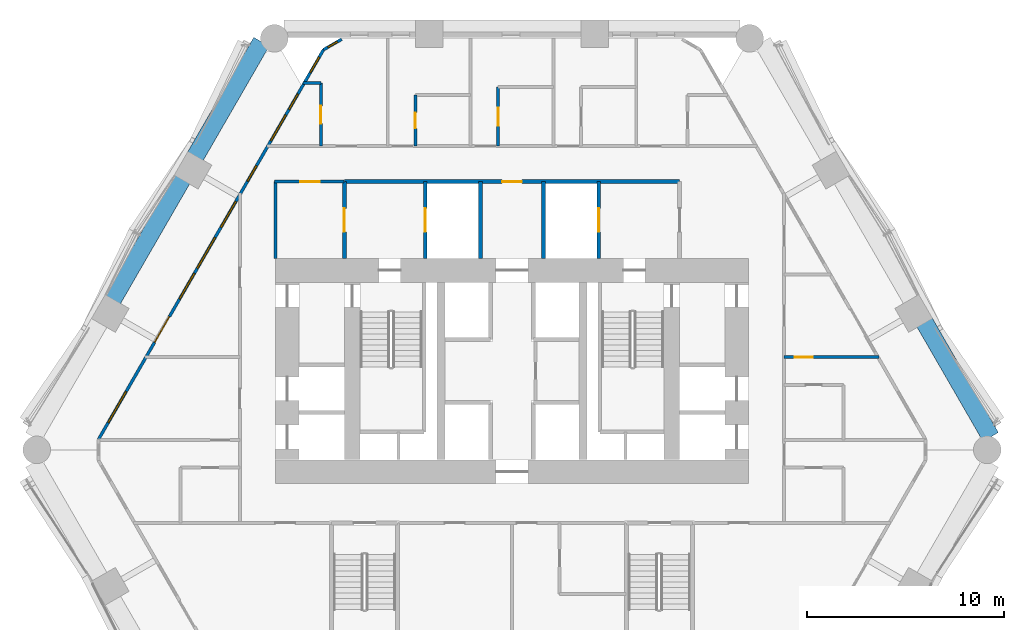
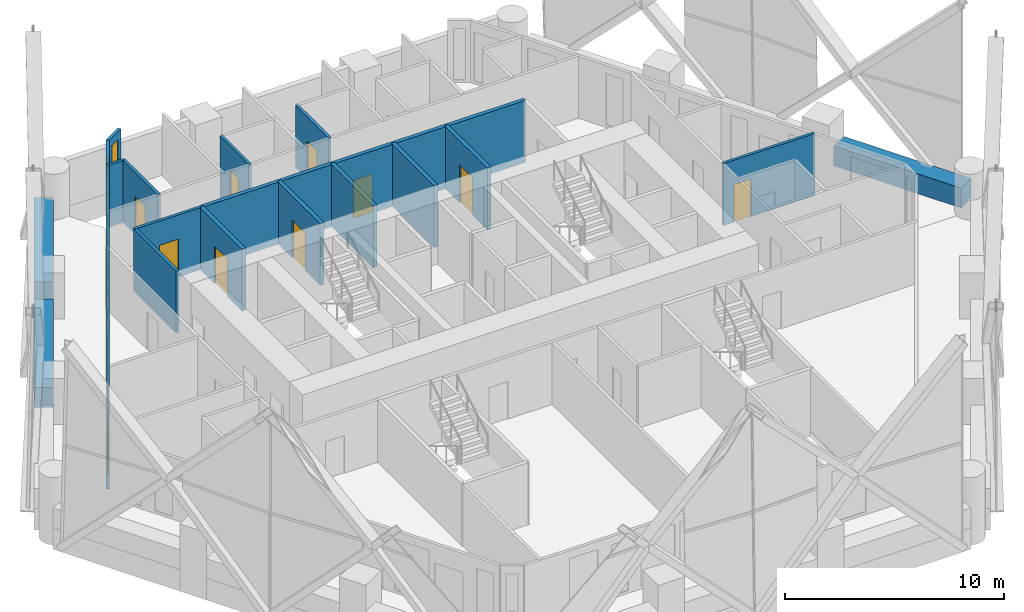
# One storey, part 14 of 22: 18 walls, 10 doors, 9 windows, 19 openings.
"""IFC4 building model written with IfcOpenShell, lengths in metres."""

from ifc_helpers import new_model, si_unit, direction, frame, frame_2d, origin, place, context, subcontext, project, spatial, rectangle, extrude, material, layer, layer_set, type_object, element, fill, save


model = new_model("IFC4")

# Units and contexts
model_context = context("Model", 3, precision=1e-05, world=origin(), true_north=direction((0.0, 1.0)))
body_context = subcontext(model_context, "Body", "Model", "MODEL_VIEW")
ifc_project = project(units=[si_unit("LENGTHUNIT", "METRE"), si_unit("AREAUNIT", "SQUARE_METRE"), si_unit("VOLUMEUNIT", "CUBIC_METRE"), si_unit("PLANEANGLEUNIT", "RADIAN"), si_unit("MASSUNIT", "GRAM", prefix="KILO")], contexts=[model_context])

# Site, building, storey
site_placement = place(None, origin())
site = spatial("IfcSite", under=ifc_project, at=site_placement, CompositionType="ELEMENT")
building_placement = place(site_placement, origin())
building = spatial("IfcBuilding", under=site, at=building_placement, Name="Ostrander Bayou Hotel Tower", CompositionType="ELEMENT")
storey_placement = place(building_placement, frame((0.0, 0.0, 35.5)))
storey = spatial("IfcBuildingStorey", under=building, at=storey_placement, Name="L08", CompositionType="ELEMENT", Elevation=35.5)

# Wall, openings, door, windows
ifc_material_1 = material(Name="Aluminium framed insulated wall", Category="aluminium")
ifc_layer_1 = layer(ifc_material_1, 0.14990234375)
ifc_layer_set_1 = layer_set([ifc_layer_1], Name="GW1 glass-line wall 150 mm")
wall_type_1 = type_object("IfcWallType", Name="GW1 glass-line wall 150 mm", PredefinedType="SOLIDWALL", material=ifc_layer_set_1)
wall_1_placement = place(storey_placement, frame((-9.5595703125, 20.29248046875, 0.0), z_axis=(0.0, 0.0, 1.0), x_axis=(-0.500000010132, -0.866025397935, 0.0)))
wall_1 = element("IfcWall", 1, at=wall_1_placement, inside=storey, type_object=wall_type_1, Name="GW1 L08 NW 1", PredefinedType="SOLIDWALL", context=body_context, shape_type="SweptSolid", body=[
    extrude(rectangle(XDim=22.81689453125, YDim=0.14990234375, at=frame_2d((11.408447265625, 0.0))), origin(), (0.0, 0.0, 1.0), 3.449951171875),
])
opening_1_placement = place(wall_1_placement, frame((2.593994140625, 0.0, 0.14990234375)))
opening_1 = element("IfcOpeningElement", 2, at=opening_1_placement, cuts=wall_1, Name="Opening W15", PredefinedType="OPENING", context=body_context, shape_type="SweptSolid", body=[
    extrude(rectangle(XDim=0.89990234375, YDim=2.85009765625, at=frame_2d((0.449951171875, 1.425048828125))), frame((0.0, 0.074951171875, 0.0), z_axis=(0.0, -1.0, 0.0), x_axis=(1.0, 0.0, 0.0)), (0.0, 0.0, 1.0), 0.14990234375),
])
opening_2_placement = place(wall_1_placement, frame((3.8251953125, 0.0, 0.14990234375)))
opening_2 = element("IfcOpeningElement", 3, at=opening_2_placement, cuts=wall_1, Name="Opening W11", PredefinedType="OPENING", context=body_context, shape_type="SweptSolid", body=[
    extrude(rectangle(XDim=1.5, YDim=2.85009765625, at=frame_2d((0.75, 1.425048828125))), frame((0.0, 0.074951171875, 0.0), z_axis=(0.0, -1.0, 0.0), x_axis=(1.0, 0.0, 0.0)), (0.0, 0.0, 1.0), 0.14990234375),
])
opening_3_placement = place(wall_1_placement, frame((6.794189453125, 0.0, 0.14990234375)))
opening_3 = element("IfcOpeningElement", 4, at=opening_3_placement, cuts=wall_1, Name="Opening W15", PredefinedType="OPENING", context=body_context, shape_type="SweptSolid", body=[
    extrude(rectangle(XDim=0.89990234375, YDim=2.85009765625, at=frame_2d((0.449951171875, 1.425048828125))), frame((0.0, 0.074951171875, 0.0), z_axis=(0.0, -1.0, 0.0), x_axis=(1.0, 0.0, 0.0)), (0.0, 0.0, 1.0), 0.14990234375),
])
opening_4_placement = place(wall_1_placement, frame((8.89404296875, 0.0, 0.14990234375)))
opening_4 = element("IfcOpeningElement", 5, at=opening_4_placement, cuts=wall_1, Name="Opening W11", PredefinedType="OPENING", context=body_context, shape_type="SweptSolid", body=[
    extrude(rectangle(XDim=1.5, YDim=2.85009765625, at=frame_2d((0.75, 1.425048828125))), frame((0.0, 0.074951171875, 0.0), z_axis=(0.0, -1.0, 0.0), x_axis=(1.0, 0.0, 0.0)), (0.0, 0.0, 1.0), 0.14990234375),
])
opening_5_placement = place(wall_1_placement, frame((10.994140625, 0.0, 0.14990234375)))
opening_5 = element("IfcOpeningElement", 6, at=opening_5_placement, cuts=wall_1, Name="Opening W1", PredefinedType="OPENING", context=body_context, shape_type="SweptSolid", body=[
    extrude(rectangle(XDim=1.800048828125, YDim=2.85009765625, at=frame_2d((0.89990234375, 1.425048828125))), frame((0.0, 0.074951171875, 0.0), z_axis=(0.0, -1.0, 0.0), x_axis=(1.0, 0.0, 0.0)), (0.0, 0.0, 1.0), 0.14990234375),
])
opening_6_placement = place(wall_1_placement, frame((13.093994140625, 0.0, 0.14990234375)))
opening_6 = element("IfcOpeningElement", 7, at=opening_6_placement, cuts=wall_1, Name="Opening W11", PredefinedType="OPENING", context=body_context, shape_type="SweptSolid", body=[
    extrude(rectangle(XDim=1.5, YDim=2.85009765625, at=frame_2d((0.75, 1.425048828125))), frame((0.0, 0.074951171875, 0.0), z_axis=(0.0, -1.0, 0.0), x_axis=(1.0, 0.0, 0.0)), (0.0, 0.0, 1.0), 0.14990234375),
])
opening_7_placement = place(wall_1_placement, frame((15.630859375, 0.0, 0.0)))
opening_7 = element("IfcOpeningElement", 8, at=opening_7_placement, cuts=wall_1, Name="Opening T06-800", PredefinedType="OPENING", context=body_context, shape_type="SweptSolid", body=[
    extrude(rectangle(XDim=1.5, YDim=2.39990234375, at=frame_2d((0.75, 1.199951171875))), frame((0.0, 0.074951171875, 0.0), z_axis=(0.0, -1.0, 0.0), x_axis=(1.0, 0.0, 0.0)), (0.0, 0.0, 1.0), 0.14990234375),
])
opening_8_placement = place(wall_1_placement, frame((0.440185546875, 0.0, 0.14990234375)))
opening_8 = element("IfcOpeningElement", 9, at=opening_8_placement, cuts=wall_1, Name="Opening W15", PredefinedType="OPENING", context=body_context, shape_type="SweptSolid", body=[
    extrude(rectangle(XDim=0.89990234375, YDim=2.72998046875, at=frame_2d((0.449951171875, 1.364990234375))), frame((0.0, 0.074951171875, 0.0), z_axis=(0.0, -1.0, 0.0), x_axis=(1.0, 0.0, 0.0)), (0.0, 0.0, 1.0), 0.14990234375),
])
opening_9_placement = place(wall_1_placement, frame((20.024169921875, 0.0, 0.14990234375)))
opening_9 = element("IfcOpeningElement", 10, at=opening_9_placement, cuts=wall_1, Name="Opening W1", PredefinedType="OPENING", context=body_context, shape_type="SweptSolid", body=[
    extrude(rectangle(XDim=1.800048828125, YDim=2.72998046875, at=frame_2d((0.89990234375, 1.364990234375))), frame((0.0, 0.074951171875, 0.0), z_axis=(0.0, -1.0, 0.0), x_axis=(1.0, 0.0, 0.0)), (0.0, 0.0, 1.0), 0.14990234375),
])
ifc_material_2 = material(Name="Aluminium and clear glass", Category="aluminium")
door_type_1 = type_object("IfcDoorType", Name="SD1 sliding glass door 1500 mm, zone 1", OperationType="SLIDING_TO_LEFT", PredefinedType="DOOR", material=ifc_material_2)
door_1_placement = place(opening_7_placement, origin())
door_1 = element("IfcDoor", 11, at=door_1_placement, inside=storey, type_object=door_type_1, Name="SD1 L08 NW 4", OperationType="SLIDING_TO_RIGHT", OverallHeight=2.39990234375, OverallWidth=1.5, PredefinedType="DOOR", context=body_context, shape_type="SweptSolid", body=[
    extrude(rectangle(XDim=1.5, YDim=2.39990234375, at=frame_2d((0.75, 1.199951171875))), frame((0.0, 0.02490234375, 0.0), z_axis=(0.0, -1.0, 0.0), x_axis=(1.0, 0.0, 0.0)), (0.0, 0.0, 1.0), 0.050048828125),
])
fill(opening_7, door_1)
ifc_material_3 = material(Name="Aluminium and clear glass", Category="aluminium")
window_type_1 = type_object("IfcWindowType", Name="W1 fixed window 1800 mm, zone 1", PartitioningType="SINGLE_PANEL", PredefinedType="WINDOW", material=ifc_material_3)
window_1_placement = place(opening_5_placement, origin())
window_1 = element("IfcWindow", 12, at=window_1_placement, inside=storey, type_object=window_type_1, Name="W1 L08 NW 3", OverallHeight=2.85009765625, OverallWidth=1.800048828125, PartitioningType="SINGLE_PANEL", PredefinedType="WINDOW", context=body_context, shape_type="SweptSolid", body=[
    extrude(rectangle(XDim=1.800048828125, YDim=2.85009765625, at=frame_2d((0.89990234375, 1.425048828125))), frame((0.0, 0.030029296875, 0.0), z_axis=(0.0, -1.0, 0.0), x_axis=(1.0, 0.0, 0.0)), (0.0, 0.0, 1.0), 0.06005859375),
])
fill(opening_5, window_1)
window_2_placement = place(opening_9_placement, origin())
window_2 = element("IfcWindow", 13, at=window_2_placement, inside=storey, type_object=window_type_1, Name="W1 L08 NW E21", OverallHeight=2.72998046875, OverallWidth=1.800048828125, PartitioningType="SINGLE_PANEL", PredefinedType="WINDOW", context=body_context, shape_type="SweptSolid", body=[
    extrude(rectangle(XDim=1.800048828125, YDim=2.72998046875, at=frame_2d((0.89990234375, 1.364990234375))), frame((0.0, 0.030029296875, 0.0), z_axis=(0.0, -1.0, 0.0), x_axis=(1.0, 0.0, 0.0)), (0.0, 0.0, 1.0), 0.06005859375),
])
fill(opening_9, window_2)
ifc_material_4 = material(Name="Aluminium and clear glass", Category="aluminium")
window_type_2 = type_object("IfcWindowType", Name="W11 fixed window 1500 mm, bath bay, zone 1", PartitioningType="SINGLE_PANEL", PredefinedType="WINDOW", material=ifc_material_4)
window_3_placement = place(opening_2_placement, origin())
window_3 = element("IfcWindow", 14, at=window_3_placement, inside=storey, type_object=window_type_2, Name="W11 L08 NW 1", OverallHeight=2.85009765625, OverallWidth=1.5, PartitioningType="SINGLE_PANEL", PredefinedType="WINDOW", context=body_context, shape_type="SweptSolid", body=[
    extrude(rectangle(XDim=1.5, YDim=2.85009765625, at=frame_2d((0.75, 1.425048828125))), frame((0.0, 0.030029296875, 0.0), z_axis=(0.0, -1.0, 0.0), x_axis=(1.0, 0.0, 0.0)), (0.0, 0.0, 1.0), 0.06005859375),
])
fill(opening_2, window_3)
window_4_placement = place(opening_4_placement, origin())
window_4 = element("IfcWindow", 15, at=window_4_placement, inside=storey, type_object=window_type_2, Name="W11 L08 NW 2", OverallHeight=2.85009765625, OverallWidth=1.5, PartitioningType="SINGLE_PANEL", PredefinedType="WINDOW", context=body_context, shape_type="SweptSolid", body=[
    extrude(rectangle(XDim=1.5, YDim=2.85009765625, at=frame_2d((0.75, 1.425048828125))), frame((0.0, 0.030029296875, 0.0), z_axis=(0.0, -1.0, 0.0), x_axis=(1.0, 0.0, 0.0)), (0.0, 0.0, 1.0), 0.06005859375),
])
fill(opening_4, window_4)
window_5_placement = place(opening_6_placement, origin())
window_5 = element("IfcWindow", 16, at=window_5_placement, inside=storey, type_object=window_type_2, Name="W11 L08 NW 3", OverallHeight=2.85009765625, OverallWidth=1.5, PartitioningType="SINGLE_PANEL", PredefinedType="WINDOW", context=body_context, shape_type="SweptSolid", body=[
    extrude(rectangle(XDim=1.5, YDim=2.85009765625, at=frame_2d((0.75, 1.425048828125))), frame((0.0, 0.030029296875, 0.0), z_axis=(0.0, -1.0, 0.0), x_axis=(1.0, 0.0, 0.0)), (0.0, 0.0, 1.0), 0.06005859375),
])
fill(opening_6, window_5)
ifc_material_5 = material(Name="Aluminium and clear glass", Category="aluminium")
window_type_3 = type_object("IfcWindowType", Name="W15 window 900 mm, zone 1", PartitioningType="SINGLE_PANEL", PredefinedType="WINDOW", material=ifc_material_5)
window_6_placement = place(opening_1_placement, origin())
window_6 = element("IfcWindow", 17, at=window_6_placement, inside=storey, type_object=window_type_3, Name="W15 L08 NW 1", OverallHeight=2.85009765625, OverallWidth=0.89990234375, PartitioningType="SINGLE_PANEL", PredefinedType="WINDOW", context=body_context, shape_type="SweptSolid", body=[
    extrude(rectangle(XDim=0.89990234375, YDim=2.85009765625, at=frame_2d((0.449951171875, 1.425048828125))), frame((0.0, 0.030029296875, 0.0), z_axis=(0.0, -1.0, 0.0), x_axis=(1.0, 0.0, 0.0)), (0.0, 0.0, 1.0), 0.06005859375),
])
fill(opening_1, window_6)
window_7_placement = place(opening_3_placement, origin())
window_7 = element("IfcWindow", 18, at=window_7_placement, inside=storey, type_object=window_type_3, Name="W15 L08 NW 2", OverallHeight=2.85009765625, OverallWidth=0.89990234375, PartitioningType="SINGLE_PANEL", PredefinedType="WINDOW", context=body_context, shape_type="SweptSolid", body=[
    extrude(rectangle(XDim=0.89990234375, YDim=2.85009765625, at=frame_2d((0.449951171875, 1.425048828125))), frame((0.0, 0.030029296875, 0.0), z_axis=(0.0, -1.0, 0.0), x_axis=(1.0, 0.0, 0.0)), (0.0, 0.0, 1.0), 0.06005859375),
])
fill(opening_3, window_7)
window_8_placement = place(opening_8_placement, origin())
window_8 = element("IfcWindow", 19, at=window_8_placement, inside=storey, type_object=window_type_3, Name="W15 L08 NW E11", OverallHeight=2.72998046875, OverallWidth=0.89990234375, PartitioningType="SINGLE_PANEL", PredefinedType="WINDOW", context=body_context, shape_type="SweptSolid", body=[
    extrude(rectangle(XDim=0.89990234375, YDim=2.72998046875, at=frame_2d((0.449951171875, 1.364990234375))), frame((0.0, 0.030029296875, 0.0), z_axis=(0.0, -1.0, 0.0), x_axis=(1.0, 0.0, 0.0)), (0.0, 0.0, 1.0), 0.06005859375),
])
fill(opening_8, window_8)

# Wall, opening, window
wall_2_placement = place(storey_placement, frame((-8.63720703125, 20.824951171875, 0.0), z_axis=(0.0, 0.0, 1.0), x_axis=(-0.866048165231, -0.499960573946, 0.0)))
wall_2 = element("IfcWall", 20, at=wall_2_placement, inside=storey, type_object=wall_type_1, Name="GW1 L08 corner 1", PredefinedType="SOLIDWALL", context=body_context, shape_type="SweptSolid", body=[
    extrude(rectangle(XDim=1.06494140625, YDim=0.14990234375, at=frame_2d((0.532470703125, 0.0))), origin(), (0.0, 0.0, 1.0), 3.449951171875),
])
opening_10_placement = place(wall_2_placement, frame((0.257568359375, 0.0, 0.14990234375)))
opening_10 = element("IfcOpeningElement", 21, at=opening_10_placement, cuts=wall_2, Name="Opening W19", PredefinedType="OPENING", context=body_context, shape_type="SweptSolid", body=[
    extrude(rectangle(XDim=0.550048828125, YDim=2.85009765625, at=frame_2d((0.27490234375, 1.425048828125))), frame((0.0, 0.074951171875, 0.0), z_axis=(0.0, -1.0, 0.0), x_axis=(1.0, 0.0, 0.0)), (0.0, 0.0, 1.0), 0.14990234375),
])
ifc_material_6 = material(Name="Aluminium and clear glass", Category="aluminium")
window_type_4 = type_object("IfcWindowType", Name="W19 corner window 550 mm", PartitioningType="SINGLE_PANEL", PredefinedType="WINDOW", material=ifc_material_6)
window_9_placement = place(opening_10_placement, origin())
window_9 = element("IfcWindow", 22, at=window_9_placement, inside=storey, type_object=window_type_4, Name="W19 L08 corner 1", OverallHeight=2.85009765625, OverallWidth=0.550048828125, PartitioningType="SINGLE_PANEL", PredefinedType="WINDOW", context=body_context, shape_type="SweptSolid", body=[
    extrude(rectangle(XDim=0.550048828125, YDim=2.85009765625, at=frame_2d((0.27490234375, 1.425048828125))), frame((0.0, 0.030029296875, 0.0), z_axis=(0.0, -1.0, 0.0), x_axis=(1.0, 0.0, 0.0)), (0.0, 0.0, 1.0), 0.06005859375),
])
fill(opening_10, window_9)

# Walls
ifc_material_7 = material(Name="Concrete f'c 40 MPa", Category="concrete")
ifc_layer_2 = layer(ifc_material_7, 0.89990234375)
ifc_layer_set_2 = layer_set([ifc_layer_2], Name="PA1 stone-faced parapet 900 mm")
wall_type_2 = type_object("IfcWallType", Name="PA1 stone-faced parapet 900 mm", PredefinedType="PARAPET", material=ifc_layer_set_2)
wall_3_placement = place(storey_placement, frame((-12.705078125, 20.694091796875, 0.0), z_axis=(0.0, 0.0, 1.0), x_axis=(-0.500005133765, -0.866022439784, 0.0)))
element("IfcWall", 23, at=wall_3_placement, inside=storey, type_object=wall_type_2, Name="PA1 L08 NW-1", PredefinedType="PARAPET", context=body_context, shape_type="SweptSolid", body=[
    extrude(rectangle(XDim=6.70361328125, YDim=0.89990234375, at=frame_2d((3.351806640625, 0.0))), origin(), (0.0, 0.0, 1.0), 1.10009765625),
])
wall_4_placement = place(storey_placement, frame((-16.726806640625, 13.72802734375, 0.0), z_axis=(0.0, 0.0, 1.0), x_axis=(-0.499997206141, -0.866027016814, 0.0)))
element("IfcWall", 24, at=wall_4_placement, inside=storey, type_object=wall_type_2, Name="PA1 L08 NW-2", PredefinedType="PARAPET", context=body_context, shape_type="SweptSolid", body=[
    extrude(rectangle(XDim=7.05078125, YDim=0.89990234375, at=frame_2d((3.525390625, 0.0))), origin(), (0.0, 0.0, 1.0), 1.10009765625),
])
wall_5_placement = place(storey_placement, frame((24.274169921875, 0.656005859375, 0.0), z_axis=(0.0, 0.0, 1.0), x_axis=(-0.500005133765, 0.866022439784, 0.0)))
element("IfcWall", 25, at=wall_5_placement, inside=storey, type_object=wall_type_2, Name="PA1 L08 NE-1", PredefinedType="PARAPET", context=body_context, shape_type="SweptSolid", body=[
    extrude(rectangle(XDim=6.70361328125, YDim=0.89990234375, at=frame_2d((3.351806640625, 0.0))), origin(), (0.0, 0.0, 1.0), 1.10009765625),
])

# Wall, opening, door
ifc_material_8 = material(Name="Masonry block", Category="masonry")
ifc_layer_3 = layer(ifc_material_8, 0.199951171875)
ifc_layer_set_3 = layer_set([ifc_layer_3], Name="PT5 stair enclosure wall 200 mm masonry, 2 hour")
wall_type_3 = type_object("IfcWallType", Name="PT5 stair enclosure wall 200 mm masonry, 2 hour", PredefinedType="PARTITIONING", material=ifc_layer_set_3)
wall_6_placement = place(storey_placement, frame((-8.5, 13.60009765625, 0.0), z_axis=(0.0, 0.0, 1.0), x_axis=(1.0, 0.0, 0.0)))
wall_6 = element("IfcWall", 26, at=wall_6_placement, inside=storey, type_object=wall_type_3, Name="cs:L08:025", PredefinedType="PARTITIONING", context=body_context, shape_type="SweptSolid", body=[
    extrude(rectangle(XDim=17.0, YDim=0.199951171875, at=frame_2d((8.5, 0.0))), origin(), (0.0, 0.0, 1.0), 3.449951171875),
])
opening_11_placement = place(wall_6_placement, frame((8.0, 0.0, 0.0)))
opening_11 = element("IfcOpeningElement", 27, at=opening_11_placement, cuts=wall_6, Name="Opening T06-013", PredefinedType="OPENING", context=body_context, shape_type="SweptSolid", body=[
    extrude(rectangle(XDim=1.0, YDim=2.10009765625, at=frame_2d((0.5, 1.050048828125))), frame((0.0, 0.10009765625, 0.0), z_axis=(0.0, -1.0, 0.0), x_axis=(1.0, 0.0, 0.0)), (0.0, 0.0, 1.0), 0.199951171875),
])
ifc_material_9 = material(Name="Timber door leaf", Category="wood")
door_type_2 = type_object("IfcDoorType", Name="D9 service door 1000 x 2100 mm, 30 minute", OperationType="SINGLE_SWING_LEFT", PredefinedType="DOOR", material=ifc_material_9)
door_2_placement = place(opening_11_placement, origin())
door_2 = element("IfcDoor", 28, at=door_2_placement, inside=storey, type_object=door_type_2, Name="dr:L08:013", OperationType="SINGLE_SWING_LEFT", OverallHeight=2.10009765625, OverallWidth=1.0, PredefinedType="DOOR", context=body_context, shape_type="SweptSolid", body=[
    extrude(rectangle(XDim=1.0, YDim=2.10009765625, at=frame_2d((0.5, 1.050048828125))), frame((0.0, 0.02490234375, 0.0), z_axis=(0.0, -1.0, 0.0), x_axis=(1.0, 0.0, 0.0)), (0.0, 0.0, 1.0), 0.050048828125),
])
fill(opening_11, door_2)

wall_7_placement = place(storey_placement, frame((-8.5, 9.699951171875, 0.0), z_axis=(0.0, 0.0, 1.0), x_axis=(0.0, 1.0, 0.0)))
wall_7 = element("IfcWall", 29, at=wall_7_placement, inside=storey, type_object=wall_type_3, Name="cs:L08:026", PredefinedType="PARTITIONING", context=body_context, shape_type="SweptSolid", body=[
    extrude(rectangle(XDim=3.900146484375, YDim=0.199951171875, at=frame_2d((1.9501953125, 0.0))), origin(), (0.0, 0.0, 1.0), 3.449951171875),
])
opening_12_placement = place(wall_7_placement, frame((1.35009765625, 0.0, 0.0)))
opening_12 = element("IfcOpeningElement", 30, at=opening_12_placement, cuts=wall_7, Name="Opening T06-010", PredefinedType="OPENING", context=body_context, shape_type="SweptSolid", body=[
    extrude(rectangle(XDim=1.199951171875, YDim=2.10009765625, at=frame_2d((0.60009765625, 1.050048828125))), frame((0.0, 0.10009765625, 0.0), z_axis=(0.0, -1.0, 0.0), x_axis=(1.0, 0.0, 0.0)), (0.0, 0.0, 1.0), 0.199951171875),
])
ifc_material_10 = material(Name="Timber door leaf", Category="wood")
door_type_3 = type_object("IfcDoorType", Name="D7 lobby door 1200 x 2100 mm, 1 hour", OperationType="SINGLE_SWING_LEFT", PredefinedType="DOOR", material=ifc_material_10)
door_3_placement = place(opening_12_placement, origin())
door_3 = element("IfcDoor", 31, at=door_3_placement, inside=storey, type_object=door_type_3, Name="dr:L08:010", OperationType="SINGLE_SWING_LEFT", OverallHeight=2.10009765625, OverallWidth=1.199951171875, PredefinedType="DOOR", context=body_context, shape_type="SweptSolid", body=[
    extrude(rectangle(XDim=1.199951171875, YDim=2.10009765625, at=frame_2d((0.60009765625, 1.050048828125))), frame((0.0, 0.02490234375, 0.0), z_axis=(0.0, -1.0, 0.0), x_axis=(1.0, 0.0, 0.0)), (0.0, 0.0, 1.0), 0.050048828125),
])
fill(opening_12, door_3)

wall_8_placement = place(storey_placement, frame((-4.39990234375, 9.699951171875, 0.0), z_axis=(0.0, 0.0, 1.0), x_axis=(0.0, 1.0, 0.0)))
wall_8 = element("IfcWall", 32, at=wall_8_placement, inside=storey, type_object=wall_type_3, Name="cs:L08:028", PredefinedType="PARTITIONING", context=body_context, shape_type="SweptSolid", body=[
    extrude(rectangle(XDim=3.900146484375, YDim=0.199951171875, at=frame_2d((1.9501953125, 0.0))), origin(), (0.0, 0.0, 1.0), 3.449951171875),
])
opening_13_placement = place(wall_8_placement, frame((1.35009765625, 0.0, 0.0)))
opening_13 = element("IfcOpeningElement", 33, at=opening_13_placement, cuts=wall_8, Name="Opening T06-009", PredefinedType="OPENING", context=body_context, shape_type="SweptSolid", body=[
    extrude(rectangle(XDim=1.199951171875, YDim=2.10009765625, at=frame_2d((0.60009765625, 1.050048828125))), frame((0.0, 0.10009765625, 0.0), z_axis=(0.0, -1.0, 0.0), x_axis=(1.0, 0.0, 0.0)), (0.0, 0.0, 1.0), 0.199951171875),
])
ifc_material_11 = material(Name="Stainless steel sliding door", Category="steel")
door_type_4 = type_object("IfcDoorType", Name="LD1 lift landing door 1200 x 2100 mm", OperationType="SINGLE_SWING_LEFT", PredefinedType="DOOR", material=ifc_material_11)
door_4_placement = place(opening_13_placement, origin())
door_4 = element("IfcDoor", 34, at=door_4_placement, inside=storey, type_object=door_type_4, Name="dr:L08:009", OperationType="SLIDING_TO_LEFT", OverallHeight=2.10009765625, OverallWidth=1.199951171875, PredefinedType="DOOR", context=body_context, shape_type="SweptSolid", body=[
    extrude(rectangle(XDim=1.199951171875, YDim=2.10009765625, at=frame_2d((0.60009765625, 1.050048828125))), frame((0.0, 0.02490234375, 0.0), z_axis=(0.0, -1.0, 0.0), x_axis=(1.0, 0.0, 0.0)), (0.0, 0.0, 1.0), 0.050048828125),
])
fill(opening_13, door_4)

wall_9_placement = place(storey_placement, frame((4.39990234375, 9.699951171875, 0.0), z_axis=(0.0, 0.0, 1.0), x_axis=(0.0, 1.0, 0.0)))
wall_9 = element("IfcWall", 35, at=wall_9_placement, inside=storey, type_object=wall_type_3, Name="cs:L08:029", PredefinedType="PARTITIONING", context=body_context, shape_type="SweptSolid", body=[
    extrude(rectangle(XDim=3.900146484375, YDim=0.199951171875, at=frame_2d((1.9501953125, 0.0))), origin(), (0.0, 0.0, 1.0), 3.449951171875),
])
opening_14_placement = place(wall_9_placement, frame((1.35009765625, 0.0, 0.0)))
opening_14 = element("IfcOpeningElement", 36, at=opening_14_placement, cuts=wall_9, Name="Opening T06-011", PredefinedType="OPENING", context=body_context, shape_type="SweptSolid", body=[
    extrude(rectangle(XDim=1.199951171875, YDim=2.10009765625, at=frame_2d((0.60009765625, 1.050048828125))), frame((0.0, 0.10009765625, 0.0), z_axis=(0.0, -1.0, 0.0), x_axis=(1.0, 0.0, 0.0)), (0.0, 0.0, 1.0), 0.199951171875),
])
door_5_placement = place(opening_14_placement, origin())
door_5 = element("IfcDoor", 37, at=door_5_placement, inside=storey, type_object=door_type_4, Name="dr:L08:011", OperationType="SLIDING_TO_LEFT", OverallHeight=2.10009765625, OverallWidth=1.199951171875, PredefinedType="DOOR", context=body_context, shape_type="SweptSolid", body=[
    extrude(rectangle(XDim=1.199951171875, YDim=2.10009765625, at=frame_2d((0.60009765625, 1.050048828125))), frame((0.0, 0.02490234375, 0.0), z_axis=(0.0, -1.0, 0.0), x_axis=(1.0, 0.0, 0.0)), (0.0, 0.0, 1.0), 0.050048828125),
])
fill(opening_14, door_5)

# Walls
ifc_material_12 = material(Name="Masonry block", Category="masonry")
ifc_layer_4 = layer(ifc_material_12, 0.199951171875)
ifc_layer_set_4 = layer_set([ifc_layer_4], Name="PT6 lift shaft wall 200 mm masonry, 2 hour")
wall_type_4 = type_object("IfcWallType", Name="PT6 lift shaft wall 200 mm masonry, 2 hour", PredefinedType="PARTITIONING", material=ifc_layer_set_4)
for number, where, z_axis, x_axis, name in (
    (38, (-1.60009765625, 9.699951171875, 0.0), (0.0, 0.0, 1.0), (0.0, 1.0, 0.0), "cs:L08:030"),
    (39, (1.60009765625, 9.699951171875, 0.0), (0.0, 0.0, 1.0), (0.0, 1.0, 0.0), "cs:L08:031"),
):
    element("IfcWall", number, at=place(storey_placement, frame(where, z_axis=z_axis, x_axis=x_axis)), inside=storey, type_object=wall_type_4, Name=name, PredefinedType="PARTITIONING", context=body_context, shape_type="SweptSolid", body=[
        extrude(rectangle(XDim=3.900146484375, YDim=0.199951171875, at=frame_2d((1.9501953125, 0.0))), origin(), (0.0, 0.0, 1.0), 3.449951171875),
    ])

# Wall, opening, door
ifc_material_13 = material(Name="Gypsum board partition", Category="finish")
ifc_layer_5 = layer(ifc_material_13, 0.14990234375)
ifc_layer_set_5 = layer_set([ifc_layer_5], Name="PT8 service band wall 150 mm, 1 hour")
wall_type_5 = type_object("IfcWallType", Name="PT8 service band wall 150 mm, 1 hour", PredefinedType="PARTITIONING", material=ifc_layer_set_5)
wall_10_placement = place(storey_placement, frame((13.800048828125, 4.699951171875, 0.0), z_axis=(0.0, 0.0, 1.0), x_axis=(1.0, 0.0, 0.0)))
wall_10 = element("IfcWall", 40, at=wall_10_placement, inside=storey, type_object=wall_type_5, Name="gw:L08:011", PredefinedType="PARTITIONING", context=body_context, shape_type="SweptSolid", body=[
    extrude(rectangle(XDim=4.81396484375, YDim=0.14990234375, at=frame_2d((2.406982421875, 0.0))), origin(), (0.0, 0.0, 1.0), 3.449951171875),
])
opening_15_placement = place(wall_10_placement, frame((0.550048828125, 0.0, 0.0)))
opening_15 = element("IfcOpeningElement", 41, at=opening_15_placement, cuts=wall_10, Name="Opening T06-412", PredefinedType="OPENING", context=body_context, shape_type="SweptSolid", body=[
    extrude(rectangle(XDim=0.89990234375, YDim=2.10009765625, at=frame_2d((0.449951171875, 1.050048828125))), frame((0.0, 0.074951171875, 0.0), z_axis=(0.0, -1.0, 0.0), x_axis=(1.0, 0.0, 0.0)), (0.0, 0.0, 1.0), 0.14990234375),
])
ifc_material_14 = material(Name="Timber door leaf", Category="wood")
door_type_5 = type_object("IfcDoorType", Name="D8 room door 900 x 2100 mm", OperationType="SINGLE_SWING_LEFT", PredefinedType="DOOR", material=ifc_material_14)
door_6_placement = place(opening_15_placement, origin())
door_6 = element("IfcDoor", 42, at=door_6_placement, inside=storey, type_object=door_type_5, Name="dr:L08:412", OperationType="SINGLE_SWING_LEFT", OverallHeight=2.10009765625, OverallWidth=0.89990234375, PredefinedType="DOOR", context=body_context, shape_type="SweptSolid", body=[
    extrude(rectangle(XDim=0.89990234375, YDim=2.10009765625, at=frame_2d((0.449951171875, 1.050048828125))), frame((0.0, 0.02490234375, 0.0), z_axis=(0.0, -1.0, 0.0), x_axis=(1.0, 0.0, 0.0)), (0.0, 0.0, 1.0), 0.050048828125),
])
fill(opening_15, door_6)

wall_11_placement = place(storey_placement, frame((-12.0400390625, 13.60009765625, 0.0), z_axis=(0.0, 0.0, 1.0), x_axis=(1.0, 0.0, 0.0)))
wall_11 = element("IfcWall", 43, at=wall_11_placement, inside=storey, type_object=wall_type_5, Name="gw:L08:013", PredefinedType="PARTITIONING", context=body_context, shape_type="SweptSolid", body=[
    extrude(rectangle(XDim=3.530029296875, YDim=0.14990234375, at=frame_2d((1.76513671875, 0.0))), origin(), (0.0, 0.0, 1.0), 3.449951171875),
])
opening_16_placement = place(wall_11_placement, frame((1.2900390625, 0.0, 0.0)))
opening_16 = element("IfcOpeningElement", 44, at=opening_16_placement, cuts=wall_11, Name="Opening T06-425", PredefinedType="OPENING", context=body_context, shape_type="SweptSolid", body=[
    extrude(rectangle(XDim=1.0, YDim=2.10009765625, at=frame_2d((0.5, 1.050048828125))), frame((0.0, 0.074951171875, 0.0), z_axis=(0.0, -1.0, 0.0), x_axis=(1.0, 0.0, 0.0)), (0.0, 0.0, 1.0), 0.14990234375),
])
door_7_placement = place(opening_16_placement, origin())
door_7 = element("IfcDoor", 45, at=door_7_placement, inside=storey, type_object=door_type_2, Name="dr:L08:425", OperationType="SINGLE_SWING_RIGHT", OverallHeight=2.10009765625, OverallWidth=1.0, PredefinedType="DOOR", context=body_context, shape_type="SweptSolid", body=[
    extrude(rectangle(XDim=1.0, YDim=2.10009765625, at=frame_2d((0.5, 1.050048828125))), frame((0.0, 0.02490234375, 0.0), z_axis=(0.0, -1.0, 0.0), x_axis=(1.0, 0.0, 0.0)), (0.0, 0.0, 1.0), 0.050048828125),
])
fill(opening_16, door_7)

# Wall
wall_12_placement = place(storey_placement, frame((-10.589111328125, 18.60009765625, 0.0), z_axis=(0.0, 0.0, 1.0), x_axis=(1.0, 0.0, 0.0)))
element("IfcWall", 46, at=wall_12_placement, inside=storey, type_object=wall_type_5, Name="gw:L08:019", PredefinedType="PARTITIONING", context=body_context, shape_type="SweptSolid", body=[
    extrude(rectangle(XDim=0.89404296875, YDim=0.14990234375, at=frame_2d((0.447021484375, 0.0))), origin(), (0.0, 0.0, 1.0), 3.449951171875),
])

# Wall, opening, door
wall_13_placement = place(storey_placement, frame((-0.699951171875, 15.39990234375, 0.0), z_axis=(0.0, 0.0, 1.0), x_axis=(0.0, 1.0, 0.0)))
wall_13 = element("IfcWall", 47, at=wall_13_placement, inside=storey, type_object=wall_type_5, Name="gw:L08:031", PredefinedType="PARTITIONING", context=body_context, shape_type="SweptSolid", body=[
    extrude(rectangle(XDim=3.0, YDim=0.14990234375, at=frame_2d((1.5, 0.0))), origin(), (0.0, 0.0, 1.0), 3.449951171875),
])
opening_17_placement = place(wall_13_placement, frame((1.050048828125, 0.0, 0.0)))
opening_17 = element("IfcOpeningElement", 48, at=opening_17_placement, cuts=wall_13, Name="Opening T06-420", PredefinedType="OPENING", context=body_context, shape_type="SweptSolid", body=[
    extrude(rectangle(XDim=0.89990234375, YDim=2.10009765625, at=frame_2d((0.449951171875, 1.050048828125))), frame((0.0, 0.074951171875, 0.0), z_axis=(0.0, -1.0, 0.0), x_axis=(1.0, 0.0, 0.0)), (0.0, 0.0, 1.0), 0.14990234375),
])
ifc_material_15 = material(Name="Timber door leaf", Category="wood")
door_type_6 = type_object("IfcDoorType", Name="D14 bathroom door 900 x 2100 mm", OperationType="SINGLE_SWING_LEFT", PredefinedType="DOOR", material=ifc_material_15)
door_8_placement = place(opening_17_placement, origin())
door_8 = element("IfcDoor", 49, at=door_8_placement, inside=storey, type_object=door_type_6, Name="dr:L08:420", OperationType="SINGLE_SWING_LEFT", OverallHeight=2.10009765625, OverallWidth=0.89990234375, PredefinedType="DOOR", context=body_context, shape_type="SweptSolid", body=[
    extrude(rectangle(XDim=0.89990234375, YDim=2.10009765625, at=frame_2d((0.449951171875, 1.050048828125))), frame((0.0, 0.02490234375, 0.0), z_axis=(0.0, -1.0, 0.0), x_axis=(1.0, 0.0, 0.0)), (0.0, 0.0, 1.0), 0.050048828125),
])
fill(opening_17, door_8)

wall_14_placement = place(storey_placement, frame((-4.89990234375, 15.39990234375, 0.0), z_axis=(0.0, 0.0, 1.0), x_axis=(0.0, 1.0, 0.0)))
wall_14 = element("IfcWall", 50, at=wall_14_placement, inside=storey, type_object=wall_type_5, Name="gw:L08:033", PredefinedType="PARTITIONING", context=body_context, shape_type="SweptSolid", body=[
    extrude(rectangle(XDim=2.60009765625, YDim=0.14990234375, at=frame_2d((1.300048828125, 0.0))), origin(), (0.0, 0.0, 1.0), 3.449951171875),
])
opening_18_placement = place(wall_14_placement, frame((0.89990234375, 0.0, 0.0)))
opening_18 = element("IfcOpeningElement", 51, at=opening_18_placement, cuts=wall_14, Name="Opening T06-418", PredefinedType="OPENING", context=body_context, shape_type="SweptSolid", body=[
    extrude(rectangle(XDim=0.800048828125, YDim=2.10009765625, at=frame_2d((0.39990234375, 1.050048828125))), frame((0.0, 0.074951171875, 0.0), z_axis=(0.0, -1.0, 0.0), x_axis=(1.0, 0.0, 0.0)), (0.0, 0.0, 1.0), 0.14990234375),
])
ifc_material_16 = material(Name="Timber door leaf", Category="wood")
door_type_7 = type_object("IfcDoorType", Name="D2 bathroom door 800 x 2100 mm", OperationType="SINGLE_SWING_LEFT", PredefinedType="DOOR", material=ifc_material_16)
door_9_placement = place(opening_18_placement, origin())
door_9 = element("IfcDoor", 52, at=door_9_placement, inside=storey, type_object=door_type_7, Name="dr:L08:418", OperationType="SINGLE_SWING_LEFT", OverallHeight=2.10009765625, OverallWidth=0.800048828125, PredefinedType="DOOR", context=body_context, shape_type="SweptSolid", body=[
    extrude(rectangle(XDim=0.800048828125, YDim=2.10009765625, at=frame_2d((0.39990234375, 1.050048828125))), frame((0.0, 0.02490234375, 0.0), z_axis=(0.0, -1.0, 0.0), x_axis=(1.0, 0.0, 0.0)), (0.0, 0.0, 1.0), 0.050048828125),
])
fill(opening_18, door_9)

wall_15_placement = place(storey_placement, frame((-9.695068359375, 15.39990234375, 0.0), z_axis=(0.0, 0.0, 1.0), x_axis=(0.0, 1.0, 0.0)))
wall_15 = element("IfcWall", 53, at=wall_15_placement, inside=storey, type_object=wall_type_5, Name="gw:L08:036", PredefinedType="PARTITIONING", context=body_context, shape_type="SweptSolid", body=[
    extrude(rectangle(XDim=3.2001953125, YDim=0.14990234375, at=frame_2d((1.60009765625, 0.0))), origin(), (0.0, 0.0, 1.0), 3.449951171875),
])
opening_19_placement = place(wall_15_placement, frame((1.14990234375, 0.0, 0.0)))
opening_19 = element("IfcOpeningElement", 54, at=opening_19_placement, cuts=wall_15, Name="Opening T06-416", PredefinedType="OPENING", context=body_context, shape_type="SweptSolid", body=[
    extrude(rectangle(XDim=0.89990234375, YDim=2.10009765625, at=frame_2d((0.449951171875, 1.050048828125))), frame((0.0, 0.074951171875, 0.0), z_axis=(0.0, -1.0, 0.0), x_axis=(1.0, 0.0, 0.0)), (0.0, 0.0, 1.0), 0.14990234375),
])
door_10_placement = place(opening_19_placement, origin())
door_10 = element("IfcDoor", 55, at=door_10_placement, inside=storey, type_object=door_type_5, Name="dr:L08:416", OperationType="SINGLE_SWING_LEFT", OverallHeight=2.10009765625, OverallWidth=0.89990234375, PredefinedType="DOOR", context=body_context, shape_type="SweptSolid", body=[
    extrude(rectangle(XDim=0.89990234375, YDim=2.10009765625, at=frame_2d((0.449951171875, 1.050048828125))), frame((0.0, 0.02490234375, 0.0), z_axis=(0.0, -1.0, 0.0), x_axis=(1.0, 0.0, 0.0)), (0.0, 0.0, 1.0), 0.050048828125),
])
fill(opening_19, door_10)

# Wall
wall_16_placement = place(storey_placement, frame((-12.0, 9.7099609375, 0.0), z_axis=(0.0, 0.0, 1.0), x_axis=(0.0, 1.0, 0.0)))
element("IfcWall", 56, at=wall_16_placement, inside=storey, type_object=wall_type_5, Name="gw:L08:037", PredefinedType="PARTITIONING", context=body_context, shape_type="SweptSolid", body=[
    extrude(rectangle(XDim=3.89013671875, YDim=0.14990234375, at=frame_2d((1.945068359375, 0.0))), origin(), (0.0, 0.0, 1.0), 3.449951171875),
])

save(model, "model.ifc")
